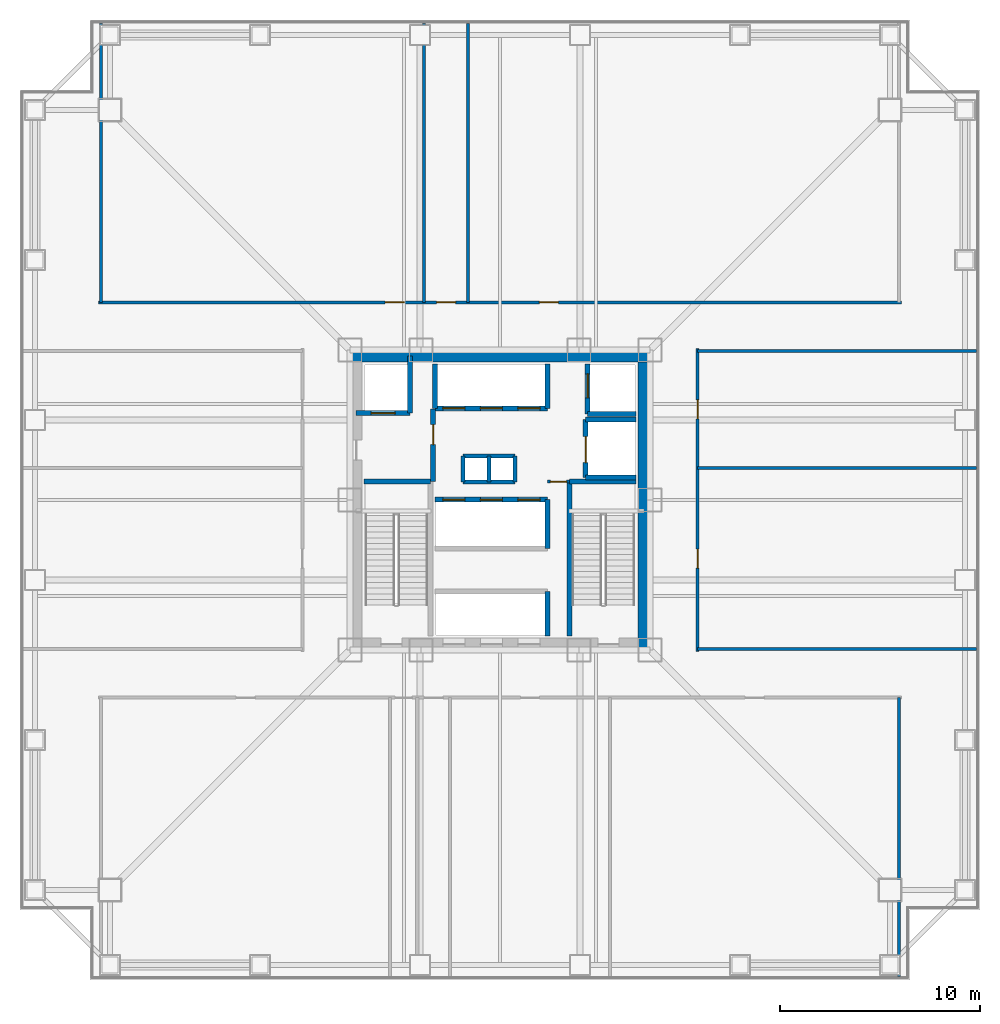
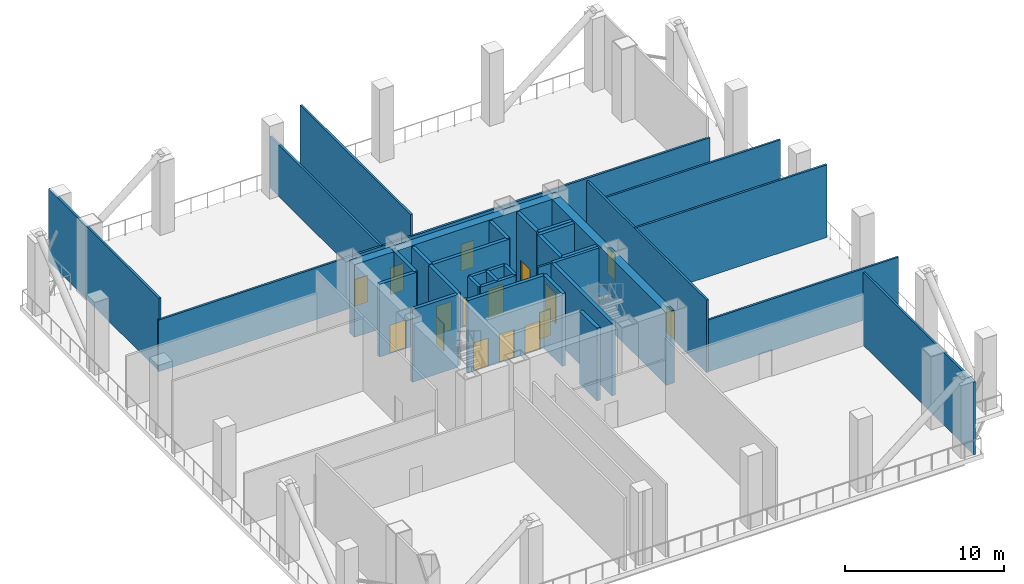
# One storey, part 3 of 7: 34 walls, 16 doors, 16 openings.
"""IFC4 building model written with IfcOpenShell, lengths in metres."""

from ifc_helpers import new_model, si_unit, direction, frame, frame_2d, origin, place, context, subcontext, project, spatial, rectangle, extrude, material, layer, layer_set, type_object, element, fill, save


model = new_model("IFC4")

# Units and contexts
model_context = context("Model", 3, precision=1e-05, world=origin(), true_north=direction((0.0, 1.0)))
body_context = subcontext(model_context, "Body", "Model", "MODEL_VIEW")
ifc_project = project(units=[si_unit("LENGTHUNIT", "METRE"), si_unit("AREAUNIT", "SQUARE_METRE"), si_unit("VOLUMEUNIT", "CUBIC_METRE"), si_unit("PLANEANGLEUNIT", "RADIAN"), si_unit("MASSUNIT", "GRAM", prefix="KILO")], contexts=[model_context])

# Site, building, storey
site_placement = place(None, origin())
site = spatial("IfcSite", under=ifc_project, at=site_placement, CompositionType="ELEMENT")
building_placement = place(site_placement, origin())
building = spatial("IfcBuilding", under=site, at=building_placement, Name="Trevonay Congress Spire", CompositionType="ELEMENT")
storey_placement = place(building_placement, frame((0.0, 0.0, 88.0)))
storey = spatial("IfcBuildingStorey", under=building, at=storey_placement, Name="L22", CompositionType="ELEMENT", Elevation=88.0)

# Walls
ifc_material_1 = material(Name="Concrete C60/75", Category="concrete")
ifc_layer_1 = layer(ifc_material_1, 0.60009765625, Name="Concrete C60/75")
ifc_layer_set_1 = layer_set([ifc_layer_1], Name="Concrete C60/75")
wall_type_1 = type_object("IfcWallType", Name="WAL-CORE-600", PredefinedType="SHEAR", material=ifc_layer_set_1)
for number, where, z_axis, x_axis, name in (
    (1, (-7.5, 7.199951171875, 0.0), (0.0, 0.0, 1.0), (1.0, 0.0, 0.0), "L22 North structural core shear wall"),
    (2, (7.199951171875, -7.5, 0.0), (0.0, 0.0, 1.0), (0.0, 1.0, 0.0), "L22 East structural core shear wall"),
):
    element("IfcWall", number, at=place(storey_placement, frame(where, z_axis=z_axis, x_axis=x_axis)), inside=storey, type_object=wall_type_1, Name=name, PredefinedType="SHEAR", context=body_context, shape_type="SweptSolid", body=[
        extrude(rectangle(XDim=15.0, YDim=0.60009765625, at=frame_2d((7.5, 0.0))), origin(), (0.0, 0.0, 1.0), 5.60009765625),
    ])

# Wall, openings, doors
ifc_material_2 = material(Name="Concrete C40/50", Category="concrete")
ifc_layer_2 = layer(ifc_material_2, 0.14990234375, Name="Concrete C40/50")
ifc_layer_set_2 = layer_set([ifc_layer_2], Name="Concrete C40/50")
wall_type_2 = type_object("IfcWallType", Name="WAL-CORR-150", PredefinedType="PARTITIONING", material=ifc_layer_set_2)
wall_1_placement = place(storey_placement, frame((-20.070068359375, 9.8798828125, 0.0), z_axis=(0.0, 0.0, 1.0), x_axis=(1.0, 0.0, 0.0)))
wall_1 = element("IfcWall", 3, at=wall_1_placement, inside=storey, type_object=wall_type_2, Name="L22 interior wall WP-L22N-COR", PredefinedType="PARTITIONING", context=body_context, shape_type="SweptSolid", body=[
    extrude(rectangle(XDim=40.14013671875, YDim=0.14990234375, at=frame_2d((20.070068359375, 0.0))), origin(), (0.0, 0.0, 1.0), 3.97509765625),
])
opening_1_placement = place(wall_1_placement, frame((14.324951171875, 0.0, 0.0)))
opening_1 = element("IfcOpeningElement", 4, at=opening_1_placement, cuts=wall_1, Name="Opening D07", PredefinedType="OPENING", context=body_context, shape_type="SweptSolid", body=[
    extrude(rectangle(XDim=0.949951171875, YDim=2.06005859375, at=frame_2d((0.47509765625, 1.030029296875))), frame((0.0, 0.0849609375, 0.0), z_axis=(0.0, -1.0, 0.0), x_axis=(1.0, 0.0, 0.0)), (0.0, 0.0, 1.0), 0.169921875),
])
opening_2_placement = place(wall_1_placement, frame((16.89501953125, 0.0, 0.0)))
opening_2 = element("IfcOpeningElement", 5, at=opening_2_placement, cuts=wall_1, Name="Opening D07", PredefinedType="OPENING", context=body_context, shape_type="SweptSolid", body=[
    extrude(rectangle(XDim=0.949951171875, YDim=2.06005859375, at=frame_2d((0.47509765625, 1.030029296875))), frame((0.0, 0.0849609375, 0.0), z_axis=(0.0, -1.0, 0.0), x_axis=(1.0, 0.0, 0.0)), (0.0, 0.0, 1.0), 0.169921875),
])
opening_3_placement = place(wall_1_placement, frame((22.044921875, 0.0, 0.0)))
opening_3 = element("IfcOpeningElement", 6, at=opening_3_placement, cuts=wall_1, Name="Opening D07", PredefinedType="OPENING", context=body_context, shape_type="SweptSolid", body=[
    extrude(rectangle(XDim=0.949951171875, YDim=2.06005859375, at=frame_2d((0.47509765625, 1.030029296875))), frame((0.0, 0.0849609375, 0.0), z_axis=(0.0, -1.0, 0.0), x_axis=(1.0, 0.0, 0.0)), (0.0, 0.0, 1.0), 0.169921875),
])
ifc_material_3 = material(Name="Pale Anodised Aluminium EN AW-6063-T6", Category="aluminium")
door_type_1 = type_object("IfcDoorType", Name="DOR-OFFICE-95", OperationType="NOTDEFINED", PredefinedType="DOOR", material=ifc_material_3)
door_1_placement = place(opening_1_placement, origin())
door_1 = element("IfcDoor", 7, at=door_1_placement, inside=storey, type_object=door_type_1, Name="L22 Refuge Area North-East Door", OperationType="SINGLE_SWING_RIGHT", OverallHeight=2.06005859375, OverallWidth=0.949951171875, PredefinedType="DOOR", context=body_context, shape_type="SweptSolid", body=[
    extrude(rectangle(XDim=0.949951171875, YDim=2.06005859375, at=frame_2d((0.47509765625, 1.030029296875))), frame((0.0, 0.02490234375, 0.0), z_axis=(0.0, -1.0, 0.0), x_axis=(1.0, 0.0, 0.0)), (0.0, 0.0, 1.0), 0.050048828125),
])
fill(opening_1, door_1)
door_2_placement = place(opening_2_placement, origin())
door_2 = element("IfcDoor", 8, at=door_2_placement, inside=storey, type_object=door_type_1, Name="L22 Sprinkler Break-Tank and Pump Room Door", OperationType="SINGLE_SWING_LEFT", OverallHeight=2.06005859375, OverallWidth=0.949951171875, PredefinedType="DOOR", context=body_context, shape_type="SweptSolid", body=[
    extrude(rectangle(XDim=0.949951171875, YDim=2.06005859375, at=frame_2d((0.47509765625, 1.030029296875))), frame((0.0, 0.02490234375, 0.0), z_axis=(0.0, -1.0, 0.0), x_axis=(1.0, 0.0, 0.0)), (0.0, 0.0, 1.0), 0.050048828125),
])
fill(opening_2, door_2)
door_3_placement = place(opening_3_placement, origin())
door_3 = element("IfcDoor", 9, at=door_3_placement, inside=storey, type_object=door_type_1, Name="L22 Smoke Extract Plenum Room Door", OperationType="SINGLE_SWING_RIGHT", OverallHeight=2.06005859375, OverallWidth=0.949951171875, PredefinedType="DOOR", context=body_context, shape_type="SweptSolid", body=[
    extrude(rectangle(XDim=0.949951171875, YDim=2.06005859375, at=frame_2d((0.47509765625, 1.030029296875))), frame((0.0, 0.02490234375, 0.0), z_axis=(0.0, -1.0, 0.0), x_axis=(1.0, 0.0, 0.0)), (0.0, 0.0, 1.0), 0.050048828125),
])
fill(opening_3, door_3)

wall_2_placement = place(storey_placement, frame((9.8798828125, -7.570068359375, 0.0), z_axis=(0.0, 0.0, 1.0), x_axis=(0.0, 1.0, 0.0)))
wall_2 = element("IfcWall", 10, at=wall_2_placement, inside=storey, type_object=wall_type_2, Name="L22 interior wall WP-L22E-COR", PredefinedType="PARTITIONING", context=body_context, shape_type="SweptSolid", body=[
    extrude(rectangle(XDim=15.14013671875, YDim=0.14990234375, at=frame_2d((7.570068359375, 0.0))), origin(), (0.0, 0.0, 1.0), 5.60009765625),
])
opening_4_placement = place(wall_2_placement, frame((4.169921875, 0.0, 0.0)))
opening_4 = element("IfcOpeningElement", 11, at=opening_4_placement, cuts=wall_2, Name="Opening D07", PredefinedType="OPENING", context=body_context, shape_type="SweptSolid", body=[
    extrude(rectangle(XDim=0.949951171875, YDim=2.06005859375, at=frame_2d((0.47509765625, 1.030029296875))), frame((0.0, 0.0849609375, 0.0), z_axis=(0.0, -1.0, 0.0), x_axis=(1.0, 0.0, 0.0)), (0.0, 0.0, 1.0), 0.169921875),
])
opening_5_placement = place(wall_2_placement, frame((11.6201171875, 0.0, 0.0)))
opening_5 = element("IfcOpeningElement", 12, at=opening_5_placement, cuts=wall_2, Name="Opening D07", PredefinedType="OPENING", context=body_context, shape_type="SweptSolid", body=[
    extrude(rectangle(XDim=0.949951171875, YDim=2.06005859375, at=frame_2d((0.47509765625, 1.030029296875))), frame((0.0, 0.0849609375, 0.0), z_axis=(0.0, -1.0, 0.0), x_axis=(1.0, 0.0, 0.0)), (0.0, 0.0, 1.0), 0.169921875),
])
door_4_placement = place(opening_4_placement, origin())
door_4 = element("IfcDoor", 13, at=door_4_placement, inside=storey, type_object=door_type_1, Name="L22 Refuge Area East Door", OperationType="SINGLE_SWING_LEFT", OverallHeight=2.06005859375, OverallWidth=0.949951171875, PredefinedType="DOOR", context=body_context, shape_type="SweptSolid", body=[
    extrude(rectangle(XDim=0.949951171875, YDim=2.06005859375, at=frame_2d((0.47509765625, 1.030029296875))), frame((0.0, 0.02490234375, 0.0), z_axis=(0.0, -1.0, 0.0), x_axis=(1.0, 0.0, 0.0)), (0.0, 0.0, 1.0), 0.050048828125),
])
fill(opening_4, door_4)
door_5_placement = place(opening_5_placement, origin())
door_5 = element("IfcDoor", 14, at=door_5_placement, inside=storey, type_object=door_type_1, Name="L22 Domestic Water Booster Room Door", OperationType="SINGLE_SWING_RIGHT", OverallHeight=2.06005859375, OverallWidth=0.949951171875, PredefinedType="DOOR", context=body_context, shape_type="SweptSolid", body=[
    extrude(rectangle(XDim=0.949951171875, YDim=2.06005859375, at=frame_2d((0.47509765625, 1.030029296875))), frame((0.0, 0.02490234375, 0.0), z_axis=(0.0, -1.0, 0.0), x_axis=(1.0, 0.0, 0.0)), (0.0, 0.0, 1.0), 0.050048828125),
])
fill(opening_5, door_5)

# Wall, opening, door
ifc_layer_3 = layer(ifc_material_2, 0.14990234375, Name="Concrete C40/50")
ifc_layer_set_3 = layer_set([ifc_layer_3], Name="Concrete C40/50")
wall_type_3 = type_object("IfcWallType", Name="WAL-PART-150", PredefinedType="PARTITIONING", material=ifc_layer_set_3)
wall_3_placement = place(storey_placement, frame((2.3798828125, 0.919921875, 0.0), z_axis=(0.0, 0.0, 1.0), x_axis=(1.0, 0.0, 0.0)))
wall_3 = element("IfcWall", 15, at=wall_3_placement, inside=storey, type_object=wall_type_3, Name="L22 interior wall CW-CSRV-N-L22", PredefinedType="PARTITIONING", context=body_context, shape_type="SweptSolid", body=[
    extrude(rectangle(XDim=1.090087890625, YDim=0.14990234375, at=frame_2d((0.544921875, 0.0))), origin(), (0.0, 0.0, 1.0), 5.60009765625),
])
opening_6_placement = place(wall_3_placement, frame((0.135009765625, 0.0, 0.0)))
opening_6 = element("IfcOpeningElement", 16, at=opening_6_placement, cuts=wall_3, Name="Opening D13", PredefinedType="OPENING", context=body_context, shape_type="SweptSolid", body=[
    extrude(rectangle(XDim=0.820068359375, YDim=2.050048828125, at=frame_2d((0.41015625, 1.02490234375))), frame((0.0, 0.0849609375, 0.0), z_axis=(0.0, -1.0, 0.0), x_axis=(1.0, 0.0, 0.0)), (0.0, 0.0, 1.0), 0.169921875),
])
ifc_material_4 = material(Name="Steel ASTM A572 Grade 50", Category="steel")
door_type_2 = type_object("IfcDoorType", Name="DOR-UTIL-80", OperationType="NOTDEFINED", PredefinedType="DOOR", material=ifc_material_4)
door_6_placement = place(opening_6_placement, origin())
door_6 = element("IfcDoor", 17, at=door_6_placement, inside=storey, type_object=door_type_2, Name="L22 Core Service Pocket Door", OperationType="SINGLE_SWING_RIGHT", OverallHeight=2.050048828125, OverallWidth=0.820068359375, PredefinedType="DOOR", context=body_context, shape_type="SweptSolid", body=[
    extrude(rectangle(XDim=0.820068359375, YDim=2.050048828125, at=frame_2d((0.41015625, 1.02490234375))), frame((0.0, 0.02490234375, 0.0), z_axis=(0.0, -1.0, 0.0), x_axis=(1.0, 0.0, 0.0)), (0.0, 0.0, 1.0), 0.050048828125),
])
fill(opening_6, door_6)

# Walls
for number, where, z_axis, x_axis, name in (
    (18, (19.949951171875, -23.820068359375, 0.0), (0.0, 0.0, 1.0), (0.0, 1.0, 0.0), "L22 interior wall WP-L22S-DIV5"),
    (19, (-19.949951171875, 9.8798828125, 0.0), (0.0, 0.0, 1.0), (0.0, 1.0, 0.0), "L22 interior wall WP-L22N-DIV1"),
):
    element("IfcWall", number, at=place(storey_placement, frame(where, z_axis=z_axis, x_axis=x_axis)), inside=storey, type_object=wall_type_3, Name=name, PredefinedType="PARTITIONING", context=body_context, shape_type="SweptSolid", body=[
        extrude(rectangle(XDim=13.940185546875, YDim=0.14990234375, at=frame_2d((6.97021484375, 0.0))), origin(), (0.0, 0.0, 1.0), 5.60009765625),
    ])
wall_4_placement = place(storey_placement, frame((-3.800048828125, 9.8798828125, 0.0), z_axis=(0.0, 0.0, 1.0), x_axis=(0.0, 1.0, 0.0)))
element("IfcWall", 20, at=wall_4_placement, inside=storey, type_object=wall_type_3, Name="L22 interior wall WP-L22N-DIV2", PredefinedType="PARTITIONING", context=body_context, shape_type="SweptSolid", body=[
    extrude(rectangle(XDim=13.940185546875, YDim=0.14990234375, at=frame_2d((6.97021484375, 0.0))), origin(), (0.0, 0.0, 1.0), 3.97509765625),
])
wall_5_placement = place(storey_placement, frame((-1.60009765625, 9.8798828125, 0.0), z_axis=(0.0, 0.0, 1.0), x_axis=(0.0, 1.0, 0.0)))
element("IfcWall", 21, at=wall_5_placement, inside=storey, type_object=wall_type_3, Name="L22 interior wall WP-L22N-DIV3", PredefinedType="PARTITIONING", context=body_context, shape_type="SweptSolid", body=[
    extrude(rectangle(XDim=13.940185546875, YDim=0.14990234375, at=frame_2d((6.97021484375, 0.0))), origin(), (0.0, 0.0, 1.0), 5.60009765625),
])
wall_6_placement = place(storey_placement, frame((9.8798828125, -7.449951171875, 0.0), z_axis=(0.0, 0.0, 1.0), x_axis=(1.0, 0.0, 0.0)))
element("IfcWall", 22, at=wall_6_placement, inside=storey, type_object=wall_type_3, Name="L22 interior wall WP-L22E-DIV1", PredefinedType="PARTITIONING", context=body_context, shape_type="SweptSolid", body=[
    extrude(rectangle(XDim=13.940185546875, YDim=0.14990234375, at=frame_2d((6.97021484375, 0.0))), origin(), (0.0, 0.0, 1.0), 3.97509765625),
])
wall_7_placement = place(storey_placement, frame((9.8798828125, 1.60009765625, 0.0), z_axis=(0.0, 0.0, 1.0), x_axis=(1.0, 0.0, 0.0)))
element("IfcWall", 23, at=wall_7_placement, inside=storey, type_object=wall_type_3, Name="L22 interior wall WP-L22E-DIV2", PredefinedType="PARTITIONING", context=body_context, shape_type="SweptSolid", body=[
    extrude(rectangle(XDim=13.940185546875, YDim=0.14990234375, at=frame_2d((6.97021484375, 0.0))), origin(), (0.0, 0.0, 1.0), 5.60009765625),
])
wall_8_placement = place(storey_placement, frame((9.8798828125, 7.449951171875, 0.0), z_axis=(0.0, 0.0, 1.0), x_axis=(1.0, 0.0, 0.0)))
element("IfcWall", 24, at=wall_8_placement, inside=storey, type_object=wall_type_3, Name="L22 interior wall WP-L22E-DIV3", PredefinedType="PARTITIONING", context=body_context, shape_type="SweptSolid", body=[
    extrude(rectangle(XDim=13.940185546875, YDim=0.14990234375, at=frame_2d((6.97021484375, 0.0))), origin(), (0.0, 0.0, 1.0), 3.97509765625),
])
ifc_layer_4 = layer(ifc_material_2, 0.219970703125, Name="Concrete C40/50")
ifc_layer_set_4 = layer_set([ifc_layer_4], Name="Concrete C40/50")
wall_type_4 = type_object("IfcWallType", Name="WAL-SHAFT-220", PredefinedType="PARTITIONING", material=ifc_layer_set_4)
for number, where, z_axis, x_axis, name in (
    (25, (-1.85009765625, 2.199951171875, 0.0), (0.0, 0.0, 1.0), (1.0, 0.0, 0.0), "L22 interior shaft wall WSH-L22-RSR-N"),
    (26, (-1.85009765625, 0.89990234375, 0.0), (0.0, 0.0, 1.0), (1.0, 0.0, 0.0), "L22 interior shaft wall WSH-L22-RSR-S"),
):
    element("IfcWall", number, at=place(storey_placement, frame(where, z_axis=z_axis, x_axis=x_axis)), inside=storey, type_object=wall_type_4, Name=name, PredefinedType="PARTITIONING", context=body_context, shape_type="SweptSolid", body=[
        extrude(rectangle(XDim=2.60009765625, YDim=0.219970703125, at=frame_2d((1.300048828125, 0.0))), origin(), (0.0, 0.0, 1.0), 5.60009765625),
    ])
for number, where, z_axis, x_axis, name in (
    (27, (-0.550048828125, 0.89990234375, 0.0), (0.0, 0.0, 1.0), (0.0, 1.0, 0.0), "L22 interior shaft wall WSH-L22-RSR-M"),
    (28, (0.75, 0.89990234375, 0.0), (0.0, 0.0, 1.0), (0.0, 1.0, 0.0), "L22 interior shaft wall WSH-L22-RSR-E"),
    (29, (-1.85009765625, 0.89990234375, 0.0), (0.0, 0.0, 1.0), (0.0, 1.0, 0.0), "L22 interior shaft wall WSH-L22-RSR-W"),
):
    element("IfcWall", number, at=place(storey_placement, frame(where, z_axis=z_axis, x_axis=x_axis)), inside=storey, type_object=wall_type_4, Name=name, PredefinedType="PARTITIONING", context=body_context, shape_type="SweptSolid", body=[
        extrude(rectangle(XDim=1.300048828125, YDim=0.219970703125, at=frame_2d((0.64990234375, 0.0))), origin(), (0.0, 0.0, 1.0), 5.60009765625),
    ])
ifc_layer_5 = layer(ifc_material_2, 0.25, Name="Concrete C40/50")
ifc_layer_set_5 = layer_set([ifc_layer_5], Name="Concrete C40/50")
wall_type_5 = type_object("IfcWallType", Name="WAL-SHAFT-250", PredefinedType="SHEAR", material=ifc_layer_set_5)
wall_9_placement = place(storey_placement, frame((2.3798828125, -6.800048828125, 0.0), z_axis=(0.0, 0.0, 1.0), x_axis=(0.0, 1.0, 0.0)))
element("IfcWall", 30, at=wall_9_placement, inside=storey, type_object=wall_type_5, Name="L22 interior shaft wall WSH-L22-B1-E", PredefinedType="SHEAR", context=body_context, shape_type="SweptSolid", body=[
    extrude(rectangle(XDim=2.219970703125, YDim=0.25, at=frame_2d((1.10986328125, 0.0))), origin(), (0.0, 0.0, 1.0), 5.60009765625),
])

# Wall, openings, doors
wall_10_placement = place(storey_placement, frame((-3.260009765625, 0.02001953125, 0.0), z_axis=(0.0, 0.0, 1.0), x_axis=(1.0, 0.0, 0.0)))
wall_10 = element("IfcWall", 31, at=wall_10_placement, inside=storey, type_object=wall_type_5, Name="L22 interior shaft wall WSH-L22-B2-N", PredefinedType="SHEAR", context=body_context, shape_type="SweptSolid", body=[
    extrude(rectangle(XDim=5.639892578125, YDim=0.25, at=frame_2d((2.81982421875, 0.0))), origin(), (0.0, 0.0, 1.0), 5.60009765625),
])
opening_7_placement = place(wall_10_placement, frame((0.39990234375, 0.0, 0.0)))
opening_7 = element("IfcOpeningElement", 32, at=opening_7_placement, cuts=wall_10, Name="Opening LD02", PredefinedType="OPENING", context=body_context, shape_type="SweptSolid", body=[
    extrude(rectangle(XDim=1.10009765625, YDim=2.199951171875, at=frame_2d((0.550048828125, 1.10009765625))), frame((0.0, 0.135009765625, 0.0), z_axis=(0.0, -1.0, 0.0), x_axis=(1.0, 0.0, 0.0)), (0.0, 0.0, 1.0), 0.27001953125),
])
opening_8_placement = place(wall_10_placement, frame((2.280029296875, 0.0, 0.0)))
opening_8 = element("IfcOpeningElement", 33, at=opening_8_placement, cuts=wall_10, Name="Opening LD02", PredefinedType="OPENING", context=body_context, shape_type="SweptSolid", body=[
    extrude(rectangle(XDim=1.10009765625, YDim=2.199951171875, at=frame_2d((0.550048828125, 1.10009765625))), frame((0.0, 0.135009765625, 0.0), z_axis=(0.0, -1.0, 0.0), x_axis=(1.0, 0.0, 0.0)), (0.0, 0.0, 1.0), 0.27001953125),
])
opening_9_placement = place(wall_10_placement, frame((4.159912109375, 0.0, 0.0)))
opening_9 = element("IfcOpeningElement", 34, at=opening_9_placement, cuts=wall_10, Name="Opening LD02", PredefinedType="OPENING", context=body_context, shape_type="SweptSolid", body=[
    extrude(rectangle(XDim=1.10009765625, YDim=2.199951171875, at=frame_2d((0.550048828125, 1.10009765625))), frame((0.0, 0.135009765625, 0.0), z_axis=(0.0, -1.0, 0.0), x_axis=(1.0, 0.0, 0.0)), (0.0, 0.0, 1.0), 0.27001953125),
])
door_type_3 = type_object("IfcDoorType", Name="DOR-LIFT-LD02", OperationType="DOUBLE_DOOR_SLIDING", PredefinedType="DOOR", material=ifc_material_3)
door_7_placement = place(opening_7_placement, origin())
door_7 = element("IfcDoor", 35, at=door_7_placement, inside=storey, type_object=door_type_3, Name="L22 Passenger lift PL-04 landing door", OperationType="DOUBLE_DOOR_SLIDING", OverallHeight=2.199951171875, OverallWidth=1.10009765625, PredefinedType="DOOR", context=body_context, shape_type="SweptSolid", body=[
    extrude(rectangle(XDim=1.10009765625, YDim=2.199951171875, at=frame_2d((0.550048828125, 1.10009765625))), frame((0.0, 0.02490234375, 0.0), z_axis=(0.0, -1.0, 0.0), x_axis=(1.0, 0.0, 0.0)), (0.0, 0.0, 1.0), 0.050048828125),
])
fill(opening_7, door_7)
door_8_placement = place(opening_8_placement, origin())
door_8 = element("IfcDoor", 36, at=door_8_placement, inside=storey, type_object=door_type_3, Name="L22 Passenger lift PL-05 landing door", OperationType="DOUBLE_DOOR_SLIDING", OverallHeight=2.199951171875, OverallWidth=1.10009765625, PredefinedType="DOOR", context=body_context, shape_type="SweptSolid", body=[
    extrude(rectangle(XDim=1.10009765625, YDim=2.199951171875, at=frame_2d((0.550048828125, 1.10009765625))), frame((0.0, 0.02490234375, 0.0), z_axis=(0.0, -1.0, 0.0), x_axis=(1.0, 0.0, 0.0)), (0.0, 0.0, 1.0), 0.050048828125),
])
fill(opening_8, door_8)
door_9_placement = place(opening_9_placement, origin())
door_9 = element("IfcDoor", 37, at=door_9_placement, inside=storey, type_object=door_type_3, Name="L22 Passenger lift PL-06 landing door", OperationType="DOUBLE_DOOR_SLIDING", OverallHeight=2.199951171875, OverallWidth=1.10009765625, PredefinedType="DOOR", context=body_context, shape_type="SweptSolid", body=[
    extrude(rectangle(XDim=1.10009765625, YDim=2.199951171875, at=frame_2d((0.550048828125, 1.10009765625))), frame((0.0, 0.02490234375, 0.0), z_axis=(0.0, -1.0, 0.0), x_axis=(1.0, 0.0, 0.0)), (0.0, 0.0, 1.0), 0.050048828125),
])
fill(opening_9, door_9)

# Wall
wall_11_placement = place(storey_placement, frame((2.3798828125, -2.419921875, 0.0), z_axis=(0.0, 0.0, 1.0), x_axis=(0.0, 1.0, 0.0)))
element("IfcWall", 38, at=wall_11_placement, inside=storey, type_object=wall_type_5, Name="L22 interior shaft wall WSH-L22-B2-E", PredefinedType="SHEAR", context=body_context, shape_type="SweptSolid", body=[
    extrude(rectangle(XDim=2.43994140625, YDim=0.25, at=frame_2d((1.219970703125, 0.0))), origin(), (0.0, 0.0, 1.0), 5.60009765625),
])

# Wall, openings, doors
wall_12_placement = place(storey_placement, frame((-3.260009765625, 4.580078125, 0.0), z_axis=(0.0, 0.0, 1.0), x_axis=(1.0, 0.0, 0.0)))
wall_12 = element("IfcWall", 39, at=wall_12_placement, inside=storey, type_object=wall_type_5, Name="L22 interior shaft wall WSH-L22-B3-S", PredefinedType="SHEAR", context=body_context, shape_type="SweptSolid", body=[
    extrude(rectangle(XDim=5.639892578125, YDim=0.25, at=frame_2d((2.81982421875, 0.0))), origin(), (0.0, 0.0, 1.0), 5.60009765625),
])
opening_10_placement = place(wall_12_placement, frame((0.39990234375, 0.0, 0.0)))
opening_10 = element("IfcOpeningElement", 40, at=opening_10_placement, cuts=wall_12, Name="Opening LD03", PredefinedType="OPENING", context=body_context, shape_type="SweptSolid", body=[
    extrude(rectangle(XDim=1.10009765625, YDim=2.199951171875, at=frame_2d((0.550048828125, 1.10009765625))), frame((0.0, 0.135009765625, 0.0), z_axis=(0.0, -1.0, 0.0), x_axis=(1.0, 0.0, 0.0)), (0.0, 0.0, 1.0), 0.27001953125),
])
opening_11_placement = place(wall_12_placement, frame((2.280029296875, 0.0, 0.0)))
opening_11 = element("IfcOpeningElement", 41, at=opening_11_placement, cuts=wall_12, Name="Opening LD03", PredefinedType="OPENING", context=body_context, shape_type="SweptSolid", body=[
    extrude(rectangle(XDim=1.10009765625, YDim=2.199951171875, at=frame_2d((0.550048828125, 1.10009765625))), frame((0.0, 0.135009765625, 0.0), z_axis=(0.0, -1.0, 0.0), x_axis=(1.0, 0.0, 0.0)), (0.0, 0.0, 1.0), 0.27001953125),
])
opening_12_placement = place(wall_12_placement, frame((4.159912109375, 0.0, 0.0)))
opening_12 = element("IfcOpeningElement", 42, at=opening_12_placement, cuts=wall_12, Name="Opening LD03", PredefinedType="OPENING", context=body_context, shape_type="SweptSolid", body=[
    extrude(rectangle(XDim=1.10009765625, YDim=2.199951171875, at=frame_2d((0.550048828125, 1.10009765625))), frame((0.0, 0.135009765625, 0.0), z_axis=(0.0, -1.0, 0.0), x_axis=(1.0, 0.0, 0.0)), (0.0, 0.0, 1.0), 0.27001953125),
])
door_type_4 = type_object("IfcDoorType", Name="DOR-LIFT-LD03", OperationType="DOUBLE_DOOR_SLIDING", PredefinedType="DOOR", material=ifc_material_3)
door_10_placement = place(opening_10_placement, origin())
door_10 = element("IfcDoor", 43, at=door_10_placement, inside=storey, type_object=door_type_4, Name="L22 Passenger lift PL-07 landing door", OperationType="DOUBLE_DOOR_SLIDING", OverallHeight=2.199951171875, OverallWidth=1.10009765625, PredefinedType="DOOR", context=body_context, shape_type="SweptSolid", body=[
    extrude(rectangle(XDim=1.10009765625, YDim=2.199951171875, at=frame_2d((0.550048828125, 1.10009765625))), frame((0.0, 0.02490234375, 0.0), z_axis=(0.0, -1.0, 0.0), x_axis=(1.0, 0.0, 0.0)), (0.0, 0.0, 1.0), 0.050048828125),
])
fill(opening_10, door_10)
door_11_placement = place(opening_11_placement, origin())
door_11 = element("IfcDoor", 44, at=door_11_placement, inside=storey, type_object=door_type_4, Name="L22 Passenger lift PL-08 landing door", OperationType="DOUBLE_DOOR_SLIDING", OverallHeight=2.199951171875, OverallWidth=1.10009765625, PredefinedType="DOOR", context=body_context, shape_type="SweptSolid", body=[
    extrude(rectangle(XDim=1.10009765625, YDim=2.199951171875, at=frame_2d((0.550048828125, 1.10009765625))), frame((0.0, 0.02490234375, 0.0), z_axis=(0.0, -1.0, 0.0), x_axis=(1.0, 0.0, 0.0)), (0.0, 0.0, 1.0), 0.050048828125),
])
fill(opening_11, door_11)
door_12_placement = place(opening_12_placement, origin())
door_12 = element("IfcDoor", 45, at=door_12_placement, inside=storey, type_object=door_type_4, Name="L22 Passenger lift PL-09 landing door", OperationType="DOUBLE_DOOR_SLIDING", OverallHeight=2.199951171875, OverallWidth=1.10009765625, PredefinedType="DOOR", context=body_context, shape_type="SweptSolid", body=[
    extrude(rectangle(XDim=1.10009765625, YDim=2.199951171875, at=frame_2d((0.550048828125, 1.10009765625))), frame((0.0, 0.02490234375, 0.0), z_axis=(0.0, -1.0, 0.0), x_axis=(1.0, 0.0, 0.0)), (0.0, 0.0, 1.0), 0.050048828125),
])
fill(opening_12, door_12)

# Walls
for number, where, z_axis, x_axis, name in (
    (46, (-3.260009765625, 4.580078125, 0.0), (0.0, 0.0, 1.0), (0.0, 1.0, 0.0), "L22 interior shaft wall WSH-L22-B3-W"),
    (47, (2.3798828125, 4.580078125, 0.0), (0.0, 0.0, 1.0), (0.0, 1.0, 0.0), "L22 interior shaft wall WSH-L22-B3-E"),
):
    element("IfcWall", number, at=place(storey_placement, frame(where, z_axis=z_axis, x_axis=x_axis)), inside=storey, type_object=wall_type_5, Name=name, PredefinedType="SHEAR", context=body_context, shape_type="SweptSolid", body=[
        extrude(rectangle(XDim=2.219970703125, YDim=0.25, at=frame_2d((1.10986328125, 0.0))), origin(), (0.0, 0.0, 1.0), 5.60009765625),
    ])

# Wall, opening, door
wall_13_placement = place(storey_placement, frame((-7.199951171875, 4.35009765625, 0.0), z_axis=(0.0, 0.0, 1.0), x_axis=(1.0, 0.0, 0.0)))
wall_13 = element("IfcWall", 48, at=wall_13_placement, inside=storey, type_object=wall_type_5, Name="L22 interior shaft wall WSH-L22-FF1-S", PredefinedType="SHEAR", context=body_context, shape_type="SweptSolid", body=[
    extrude(rectangle(XDim=2.699951171875, YDim=0.25, at=frame_2d((1.35009765625, 0.0))), origin(), (0.0, 0.0, 1.0), 5.60009765625),
])
opening_13_placement = place(wall_13_placement, frame((0.75, 0.0, 0.0)))
opening_13 = element("IfcOpeningElement", 49, at=opening_13_placement, cuts=wall_13, Name="Opening LD04", PredefinedType="OPENING", context=body_context, shape_type="SweptSolid", body=[
    extrude(rectangle(XDim=1.199951171875, YDim=2.199951171875, at=frame_2d((0.60009765625, 1.10009765625))), frame((0.0, 0.135009765625, 0.0), z_axis=(0.0, -1.0, 0.0), x_axis=(1.0, 0.0, 0.0)), (0.0, 0.0, 1.0), 0.27001953125),
])
door_type_5 = type_object("IfcDoorType", Name="DOR-LIFT-LD04", OperationType="DOUBLE_DOOR_SLIDING", PredefinedType="DOOR", material=ifc_material_4)
door_13_placement = place(opening_13_placement, origin())
door_13 = element("IfcDoor", 50, at=door_13_placement, inside=storey, type_object=door_type_5, Name="L22 Firefighting lift FFL-01 landing door", OperationType="DOUBLE_DOOR_SLIDING", OverallHeight=2.199951171875, OverallWidth=1.199951171875, PredefinedType="DOOR", context=body_context, shape_type="SweptSolid", body=[
    extrude(rectangle(XDim=1.199951171875, YDim=2.199951171875, at=frame_2d((0.60009765625, 1.10009765625))), frame((0.0, 0.02490234375, 0.0), z_axis=(0.0, -1.0, 0.0), x_axis=(1.0, 0.0, 0.0)), (0.0, 0.0, 1.0), 0.050048828125),
])
fill(opening_13, door_13)

# Walls
wall_14_placement = place(storey_placement, frame((-4.5, 4.35009765625, 0.0), z_axis=(0.0, 0.0, 1.0), x_axis=(0.0, 1.0, 0.0)))
element("IfcWall", 51, at=wall_14_placement, inside=storey, type_object=wall_type_5, Name="L22 interior shaft wall WSH-L22-FF1-E", PredefinedType="SHEAR", context=body_context, shape_type="SweptSolid", body=[
    extrude(rectangle(XDim=2.849853515625, YDim=0.25, at=frame_2d((1.4248046875, 0.0))), origin(), (0.0, 0.0, 1.0), 5.60009765625),
])
wall_15_placement = place(storey_placement, frame((4.3798828125, 4.300048828125, 0.0), z_axis=(0.0, 0.0, 1.0), x_axis=(1.0, 0.0, 0.0)))
element("IfcWall", 52, at=wall_15_placement, inside=storey, type_object=wall_type_5, Name="L22 interior shaft wall WSH-L22-FF2-S", PredefinedType="SHEAR", context=body_context, shape_type="SweptSolid", body=[
    extrude(rectangle(XDim=2.420166015625, YDim=0.25, at=frame_2d((1.2099609375, 0.0))), origin(), (0.0, 0.0, 1.0), 5.60009765625),
])

# Wall, opening, door
wall_16_placement = place(storey_placement, frame((4.3798828125, 4.300048828125, 0.0), z_axis=(0.0, 0.0, 1.0), x_axis=(0.0, 1.0, 0.0)))
wall_16 = element("IfcWall", 53, at=wall_16_placement, inside=storey, type_object=wall_type_5, Name="L22 interior shaft wall WSH-L22-FF2-W", PredefinedType="SHEAR", context=body_context, shape_type="SweptSolid", body=[
    extrude(rectangle(XDim=2.5, YDim=0.25, at=frame_2d((1.25, 0.0))), origin(), (0.0, 0.0, 1.0), 5.60009765625),
])
opening_14_placement = place(wall_16_placement, frame((0.800048828125, 0.0, 0.0)))
opening_14 = element("IfcOpeningElement", 54, at=opening_14_placement, cuts=wall_16, Name="Opening LD04", PredefinedType="OPENING", context=body_context, shape_type="SweptSolid", body=[
    extrude(rectangle(XDim=1.199951171875, YDim=2.199951171875, at=frame_2d((0.60009765625, 1.10009765625))), frame((0.0, 0.135009765625, 0.0), z_axis=(0.0, -1.0, 0.0), x_axis=(1.0, 0.0, 0.0)), (0.0, 0.0, 1.0), 0.27001953125),
])
door_14_placement = place(opening_14_placement, origin())
door_14 = element("IfcDoor", 55, at=door_14_placement, inside=storey, type_object=door_type_5, Name="L22 Firefighting lift FFL-02 landing door", OperationType="DOUBLE_DOOR_SLIDING", OverallHeight=2.199951171875, OverallWidth=1.199951171875, PredefinedType="DOOR", context=body_context, shape_type="SweptSolid", body=[
    extrude(rectangle(XDim=1.199951171875, YDim=2.199951171875, at=frame_2d((0.60009765625, 1.10009765625))), frame((0.0, 0.02490234375, 0.0), z_axis=(0.0, -1.0, 0.0), x_axis=(1.0, 0.0, 0.0)), (0.0, 0.0, 1.0), 0.050048828125),
])
fill(opening_14, door_14)

wall_17_placement = place(storey_placement, frame((4.280029296875, 1.1201171875, 0.0), z_axis=(0.0, 0.0, 1.0), x_axis=(0.0, 1.0, 0.0)))
wall_17 = element("IfcWall", 56, at=wall_17_placement, inside=storey, type_object=wall_type_5, Name="L22 interior shaft wall WSH-L22-SV-W", PredefinedType="SHEAR", context=body_context, shape_type="SweptSolid", body=[
    extrude(rectangle(XDim=2.89990234375, YDim=0.25, at=frame_2d((1.449951171875, 0.0))), origin(), (0.0, 0.0, 1.0), 5.60009765625),
])
opening_15_placement = place(wall_17_placement, frame((0.75, 0.0, 0.0)))
opening_15 = element("IfcOpeningElement", 57, at=opening_15_placement, cuts=wall_17, Name="Opening LD05", PredefinedType="OPENING", context=body_context, shape_type="SweptSolid", body=[
    extrude(rectangle(XDim=1.300048828125, YDim=2.300048828125, at=frame_2d((0.64990234375, 1.14990234375))), frame((0.0, 0.135009765625, 0.0), z_axis=(0.0, -1.0, 0.0), x_axis=(1.0, 0.0, 0.0)), (0.0, 0.0, 1.0), 0.27001953125),
])
door_type_6 = type_object("IfcDoorType", Name="DOR-LIFT-LD05", OperationType="DOUBLE_DOOR_SLIDING", PredefinedType="DOOR", material=ifc_material_4)
door_15_placement = place(opening_15_placement, origin())
door_15 = element("IfcDoor", 58, at=door_15_placement, inside=storey, type_object=door_type_6, Name="L22 Goods lift SVL-01 landing door", OperationType="DOUBLE_DOOR_SLIDING", OverallHeight=2.300048828125, OverallWidth=1.300048828125, PredefinedType="DOOR", context=body_context, shape_type="SweptSolid", body=[
    extrude(rectangle(XDim=1.300048828125, YDim=2.300048828125, at=frame_2d((0.64990234375, 1.14990234375))), frame((0.0, 0.02490234375, 0.0), z_axis=(0.0, -1.0, 0.0), x_axis=(1.0, 0.0, 0.0)), (0.0, 0.0, 1.0), 0.050048828125),
])
fill(opening_15, door_15)

# Walls
for number, where, z_axis, x_axis, name in (
    (59, (4.280029296875, 1.1201171875, 0.0), (0.0, 0.0, 1.0), (1.0, 0.0, 0.0), "L22 interior shaft wall WSH-L22-SV-S"),
    (60, (4.280029296875, 4.02001953125, 0.0), (0.0, 0.0, 1.0), (1.0, 0.0, 0.0), "L22 interior shaft wall WSH-L22-SV-N"),
):
    element("IfcWall", number, at=place(storey_placement, frame(where, z_axis=z_axis, x_axis=x_axis)), inside=storey, type_object=wall_type_5, Name=name, PredefinedType="SHEAR", context=body_context, shape_type="SweptSolid", body=[
        extrude(rectangle(XDim=2.52001953125, YDim=0.25, at=frame_2d((1.260009765625, 0.0))), origin(), (0.0, 0.0, 1.0), 5.60009765625),
    ])

# Wall, opening, door
wall_18_placement = place(storey_placement, frame((-3.35009765625, 0.919921875, 0.0), z_axis=(0.0, 0.0, 1.0), x_axis=(0.0, 1.0, 0.0)))
wall_18 = element("IfcWall", 61, at=wall_18_placement, inside=storey, type_object=wall_type_5, Name="L22 interior wall CW-FFLW-E-L22", PredefinedType="SHEAR", context=body_context, shape_type="SweptSolid", body=[
    extrude(rectangle(XDim=3.6201171875, YDim=0.25, at=frame_2d((1.81005859375, 0.0))), origin(), (0.0, 0.0, 1.0), 5.60009765625),
])
opening_16_placement = place(wall_18_placement, frame((1.85009765625, 0.0, 0.0)))
opening_16 = element("IfcOpeningElement", 62, at=opening_16_placement, cuts=wall_18, Name="Opening D06", PredefinedType="OPENING", context=body_context, shape_type="SweptSolid", body=[
    extrude(rectangle(XDim=1.0, YDim=2.080078125, at=frame_2d((0.5, 1.0400390625))), frame((0.0, 0.135009765625, 0.0), z_axis=(0.0, -1.0, 0.0), x_axis=(1.0, 0.0, 0.0)), (0.0, 0.0, 1.0), 0.27001953125),
])
door_type_7 = type_object("IfcDoorType", Name="DOR-FIRE-100", OperationType="NOTDEFINED", PredefinedType="DOOR", material=ifc_material_4)
door_16_placement = place(opening_16_placement, origin())
door_16 = element("IfcDoor", 63, at=door_16_placement, inside=storey, type_object=door_type_7, Name="L22 Firefighting Core Lobby Transfer Door", OperationType="SINGLE_SWING_LEFT", OverallHeight=2.080078125, OverallWidth=1.0, PredefinedType="DOOR", context=body_context, shape_type="SweptSolid", body=[
    extrude(rectangle(XDim=1.0, YDim=2.080078125, at=frame_2d((0.5, 1.0400390625))), frame((0.0, 0.02490234375, 0.0), z_axis=(0.0, -1.0, 0.0), x_axis=(1.0, 0.0, 0.0)), (0.0, 0.0, 1.0), 0.050048828125),
])
fill(opening_16, door_16)

# Walls
ifc_layer_6 = layer(ifc_material_2, 0.25, Name="Concrete C40/50")
ifc_layer_set_6 = layer_set([ifc_layer_6], Name="Concrete C40/50")
wall_type_6 = type_object("IfcWallType", Name="WAL-SHAFT-LB-250", PredefinedType="SHEAR", material=ifc_layer_set_6)
wall_19_placement = place(storey_placement, frame((-6.800048828125, 0.919921875, 0.0), z_axis=(0.0, 0.0, 1.0), x_axis=(1.0, 0.0, 0.0)))
element("IfcWall", 64, at=wall_19_placement, inside=storey, type_object=wall_type_6, Name="L22 interior shaft wall WSH-L22-ST1-N", PredefinedType="SHEAR", context=body_context, shape_type="SweptSolid", body=[
    extrude(rectangle(XDim=3.330078125, YDim=0.25, at=frame_2d((1.6650390625, 0.0))), origin(), (0.0, 0.0, 1.0), 5.60009765625),
])
wall_20_placement = place(storey_placement, frame((3.469970703125, -6.800048828125, 0.0), z_axis=(0.0, 0.0, 1.0), x_axis=(0.0, 1.0, 0.0)))
element("IfcWall", 65, at=wall_20_placement, inside=storey, type_object=wall_type_6, Name="L22 interior shaft wall WSH-L22-ST2-W", PredefinedType="SHEAR", context=body_context, shape_type="SweptSolid", body=[
    extrude(rectangle(XDim=7.719970703125, YDim=0.25, at=frame_2d((3.85986328125, 0.0))), origin(), (0.0, 0.0, 1.0), 5.60009765625),
])
wall_21_placement = place(storey_placement, frame((3.469970703125, 0.919921875, 0.0), z_axis=(0.0, 0.0, 1.0), x_axis=(1.0, 0.0, 0.0)))
element("IfcWall", 66, at=wall_21_placement, inside=storey, type_object=wall_type_6, Name="L22 interior shaft wall WSH-L22-ST2-N", PredefinedType="SHEAR", context=body_context, shape_type="SweptSolid", body=[
    extrude(rectangle(XDim=3.330078125, YDim=0.25, at=frame_2d((1.6650390625, 0.0))), origin(), (0.0, 0.0, 1.0), 5.60009765625),
])

save(model, "model.ifc")
